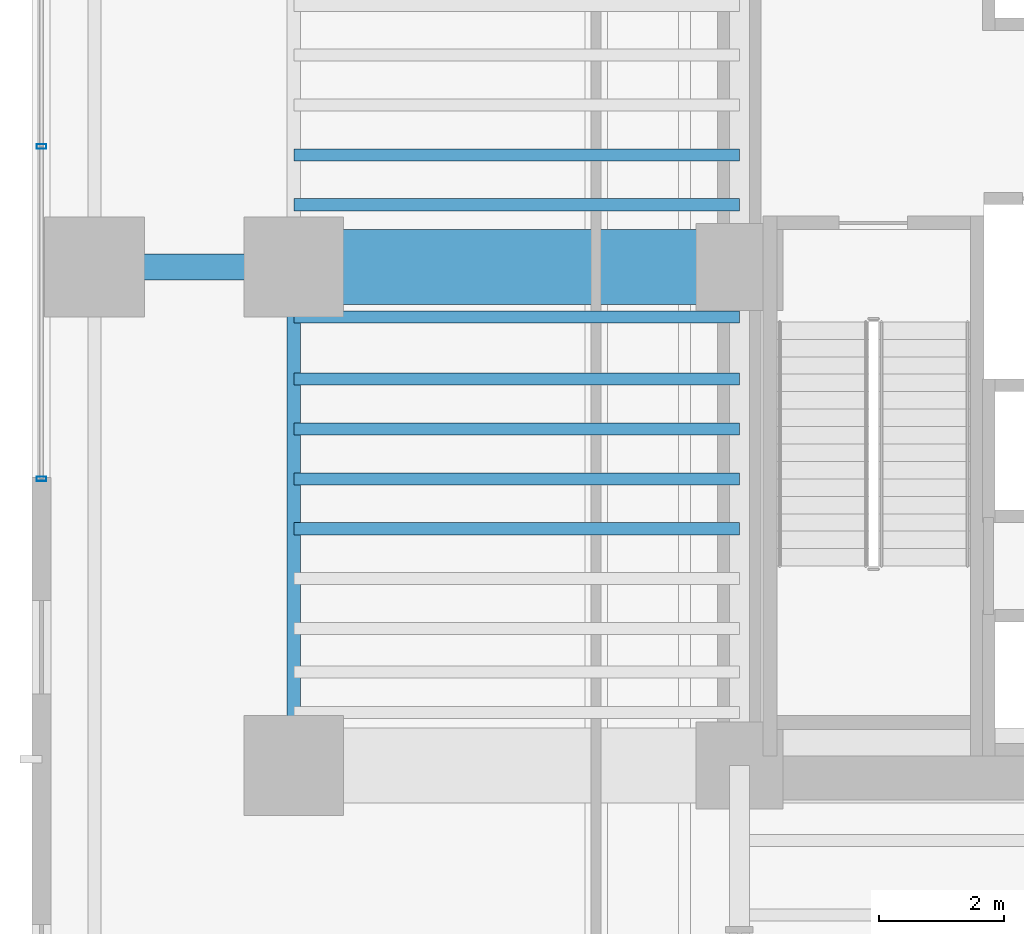
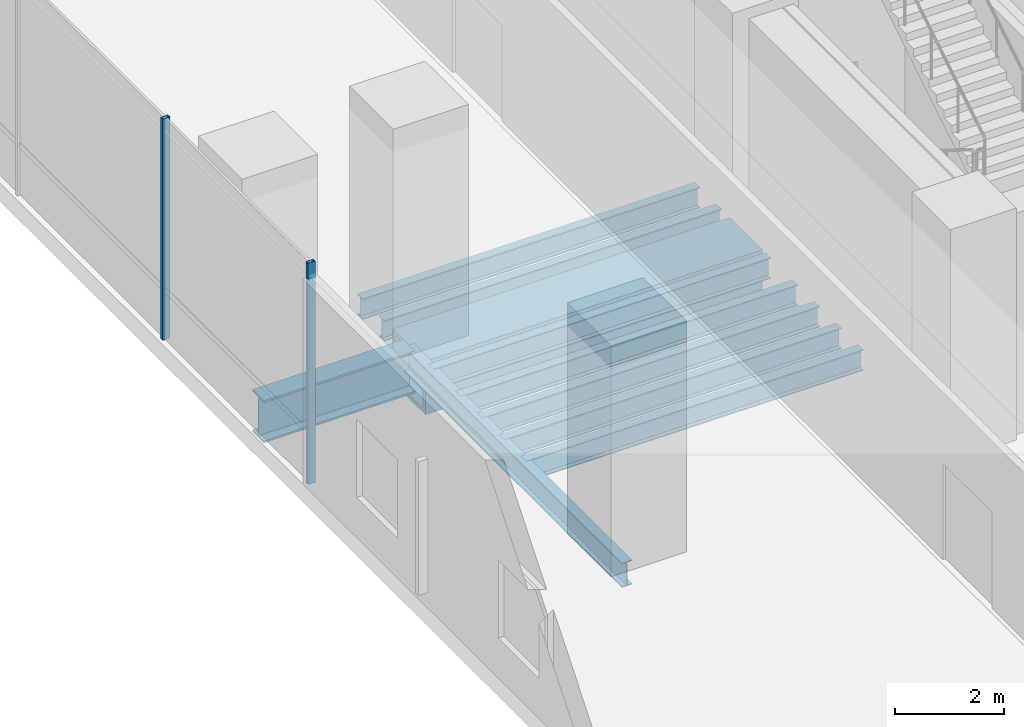
# One storey, part 4 of 41: 10 beams, 2 members, 1 element without a shape of its own.
"""IFC4 building model written with IfcOpenShell, lengths in metres."""

from ifc_helpers import new_model, si_unit, direction, frame, origin, origin_2d, place, context, subcontext, project, spatial, hollow_rectangle, i_section, extrude, source, transform, mapped, material, material_profile, profile_set, type_object, element, aggregate, save


model = new_model("IFC4")

# Units and contexts
model_context = context("Model", 3, precision=1e-05, world=origin(), true_north=direction((0.0, 1.0)))
body_context = subcontext(model_context, "Body", "Model", "MODEL_VIEW")
ifc_project = project(units=[si_unit("LENGTHUNIT", "METRE"), si_unit("AREAUNIT", "SQUARE_METRE"), si_unit("VOLUMEUNIT", "CUBIC_METRE"), si_unit("PLANEANGLEUNIT", "RADIAN"), si_unit("MASSUNIT", "GRAM", prefix="KILO")], contexts=[model_context])

# Site, building, storey
site_placement = place(None, origin())
site = spatial("IfcSite", under=ifc_project, at=site_placement, CompositionType="ELEMENT")
building_placement = place(site_placement, origin())
building = spatial("IfcBuilding", under=site, at=building_placement, Name="Valdorenza Pilgrim Sanctuary Tower", CompositionType="ELEMENT")
storey_placement = place(building_placement, frame((0.0, 0.0, 20.800048828125)))
storey = spatial("IfcBuildingStorey", under=building, at=storey_placement, Name="L04", CompositionType="ELEMENT", Elevation=20.800048828125)

# Beams
ifc_material_1 = material(Name="Steel ASTM A992 Grade 50", Category="steel")
ifc_material_profile_1 = material_profile(ifc_material_1, i_section(OverallWidth=0.214111328125, OverallDepth=0.549072265625, WebThickness=0.0146484375, FlangeThickness=0.023681640625, at=origin_2d()), Name="W21X93")
ifc_profile_set_1 = profile_set([ifc_material_profile_1], Name="Steel ASTM A992 Grade 50")
beam_type_1 = type_object("IfcBeamType", Name="STR-BM-SPN-W21A", PredefinedType="SPANDREL", material=ifc_profile_set_1)
shared_shape_1 = source(origin(), body_context, "Body", "SweptSolid", [
    extrude(i_section(OverallWidth=0.214111328125, OverallDepth=0.549072265625, WebThickness=0.0146484375, FlangeThickness=0.023681640625, at=origin_2d()), origin(), (0.0, 0.0, 1.0), 8.0),
])
beam_1_placement = place(storey_placement, frame((-29.800048828125, -10.60009765625, -0.674560546875), z_axis=(0.0, 1.0, 0.0), x_axis=(-1.0, 0.0, 0.0)))
element("IfcBeam", 1, at=beam_1_placement, inside=storey, type_object=beam_type_1, Name="L04 Spandrel Beam WA-W-S1M0", PredefinedType="SPANDREL", context=body_context, shape_type="MappedRepresentation", body=[
    mapped(shared_shape_1, transform((0.0, 0.0, 0.0), x_axis=(1.0, 0.0, 0.0), y_axis=(0.0, 1.0, 0.0), z_axis=(0.0, 0.0, 1.0), scale=1.0)),
])
ifc_material_profile_2 = material_profile(ifc_material_1, i_section(OverallWidth=0.193115234375, OverallDepth=0.466064453125, WebThickness=0.011474609375, FlangeThickness=0.01904296875, at=origin_2d()), Name="W18X65")
ifc_profile_set_2 = profile_set([ifc_material_profile_2], Name="Steel ASTM A992 Grade 50")
beam_type_2 = type_object("IfcBeamType", Name="STR-BM-JST-W18A", PredefinedType="JOIST", material=ifc_profile_set_2)
shared_shape_2 = source(origin(), body_context, "Body", "SweptSolid", [
    extrude(i_section(OverallWidth=0.193115234375, OverallDepth=0.466064453125, WebThickness=0.011474609375, FlangeThickness=0.01904296875, at=origin_2d()), origin(), (0.0, 0.0, 1.0), 7.150146484375),
])
for number, where, z_axis, x_axis, name in (
    (2, (-29.800048828125, -6.800048828125, -0.633056640625), (1.0, 0.0, 0.0), (0.0, 1.0, 0.0), "L04 Composite Floor Joist JST-WA-5"),
    (3, (-29.800048828125, -6.0, -0.633056640625), (1.0, 0.0, 0.0), (0.0, 1.0, 0.0), "L04 Composite Floor Joist JST-WA-6"),
    (4, (-29.800048828125, -5.199951171875, -0.633056640625), (1.0, 0.0, 0.0), (0.0, 1.0, 0.0), "L04 Composite Floor Joist JST-WA-7"),
    (5, (-29.800048828125, -4.39990234375, -0.633056640625), (1.0, 0.0, 0.0), (0.0, 1.0, 0.0), "L04 Composite Floor Joist JST-WA-8"),
    (6, (-29.800048828125, -3.39990234375, -0.633056640625), (1.0, 0.0, 0.0), (0.0, 1.0, 0.0), "L04 Composite Floor Joist JST-WA-9"),
    (7, (-29.800048828125, -1.60009765625, -0.633056640625), (1.0, 0.0, 0.0), (0.0, 1.0, 0.0), "L04 Composite Floor Joist JST-WA-10"),
    (8, (-29.800048828125, -0.800048828125, -0.633056640625), (1.0, 0.0, 0.0), (0.0, 1.0, 0.0), "L04 Composite Floor Joist JST-WA-11"),
):
    element("IfcBeam", number, at=place(storey_placement, frame(where, z_axis=z_axis, x_axis=x_axis)), inside=storey, type_object=beam_type_2, Name=name, PredefinedType="JOIST", context=body_context, shape_type="MappedRepresentation", body=[
        mapped(shared_shape_2, transform((0.0, 0.0, 0.0), x_axis=(1.0, 0.0, 0.0), y_axis=(0.0, 1.0, 0.0), z_axis=(0.0, 0.0, 1.0), scale=1.0)),
    ])
ifc_material_profile_3 = material_profile(ifc_material_1, i_section(OverallWidth=0.423095703125, OverallDepth=0.947998046875, WebThickness=0.02392578125, FlangeThickness=0.042724609375, at=origin_2d()), Name="W36X302")
ifc_profile_set_3 = profile_set([ifc_material_profile_3], Name="Steel ASTM A992 Grade 50")
beam_type_3 = type_object("IfcBeamType", Name="STR-BM-GRD-W36A", PredefinedType="BEAM", material=ifc_profile_set_3)
shared_shape_3 = source(origin(), body_context, "Body", "SweptSolid", [
    extrude(i_section(OverallWidth=0.423095703125, OverallDepth=0.947998046875, WebThickness=0.02392578125, FlangeThickness=0.042724609375, at=origin_2d()), origin(), (0.0, 0.0, 1.0), 3.199951171875),
])
beam_2_placement = place(storey_placement, frame((-33.0, -2.60009765625, -0.8740234375), z_axis=(1.0, 0.0, 0.0), x_axis=(0.0, 1.0, 0.0)))
element("IfcBeam", 9, at=beam_2_placement, inside=storey, type_object=beam_type_3, Name="L04 Floor Girder POD-W-M0", PredefinedType="BEAM", context=body_context, shape_type="MappedRepresentation", body=[
    mapped(shared_shape_3, transform((0.0, 0.0, 0.0), x_axis=(1.0, 0.0, 0.0), y_axis=(0.0, 1.0, 0.0), z_axis=(0.0, 0.0, 1.0), scale=1.0)),
])
ifc_material_2 = material(Name="Steel ASTM A572 Grade 42", Category="steel")
ifc_material_profile_4 = material_profile(ifc_material_2, hollow_rectangle(XDim=1.199951171875, YDim=1.199951171875, WallThickness=0.090087890625, at=origin_2d()), Name="BOX 1200x1200x90")
ifc_profile_set_4 = profile_set([ifc_material_profile_4], Name="Steel ASTM A572 Grade 42")
beam_type_4 = type_object("IfcBeamType", Name="STR-BM-TRF-1200", PredefinedType="BEAM", material=ifc_profile_set_4)
shared_shape_4 = source(origin(), body_context, "Body", "SweptSolid", [
    extrude(hollow_rectangle(XDim=1.199951171875, YDim=1.199951171875, WallThickness=0.090087890625, at=origin_2d()), origin(), (0.0, 0.0, 1.0), 7.150146484375),
])
beam_3_placement = place(storey_placement, frame((-29.800048828125, -2.60009765625, -1.0), z_axis=(1.0, 0.0, 0.0), x_axis=(0.0, 1.0, 0.0)))
element("IfcBeam", 10, at=beam_3_placement, inside=storey, type_object=beam_type_4, Name="L04 Transfer Girder WA-XW-M0", PredefinedType="BEAM", context=body_context, shape_type="MappedRepresentation", body=[
    mapped(shared_shape_4, transform((0.0, 0.0, 0.0), x_axis=(1.0, 0.0, 0.0), y_axis=(0.0, 1.0, 0.0), z_axis=(0.0, 0.0, 1.0), scale=1.0)),
])

# Curtain wall, members
ifc_material_3 = material(Name="Curtain-wall IGU glazing", Category="glass")
curtain_wall_type = type_object("IfcCurtainWallType", Name="CW-SYS-01", PredefinedType="NOTDEFINED", material=ifc_material_3)
curtain_wall_placement = place(storey_placement, origin())
curtain_wall = element("IfcCurtainWall", 11, at=curtain_wall_placement, inside=storey, type_object=curtain_wall_type, Name="L04 Curtain Wall CW-POD-L04-WW", PredefinedType="NOTDEFINED")
ifc_material_4 = material(Name="Anodised aluminium AW-6060", Category="aluminium")
ifc_material_profile_5 = material_profile(ifc_material_4, hollow_rectangle(XDim=0.074951171875, YDim=0.159912109375, WallThickness=0.00390625, at=origin_2d()), Name="ALU-M 160x75x4")
ifc_profile_set_5 = profile_set([ifc_material_profile_5], Name="Anodised aluminium AW-6060")
member_type = type_object("IfcMemberType", Name="CW-MUL-01", PredefinedType="MULLION", material=ifc_profile_set_5)
shared_shape_5 = source(origin(), body_context, "Body", "SweptSolid", [
    extrude(hollow_rectangle(XDim=0.074951171875, YDim=0.159912109375, WallThickness=0.00390625, at=origin_2d()), origin(), (0.0, 0.0, 1.0), 4.9599609375),
])
member_1_placement = place(storey_placement, frame((-33.85009765625, -6.0, 0.0), z_axis=(0.0, 0.0, 1.0), x_axis=(0.0, 1.0, 0.0)))
member_1 = element("IfcMember", 12, at=member_1_placement, type_object=member_type, Name="CW-POD-L04-WW Mullion 1", PredefinedType="MULLION", context=body_context, shape_type="MappedRepresentation", body=[
    mapped(shared_shape_5, transform((0.0, 0.0, 0.0), x_axis=(1.0, 0.0, 0.0), y_axis=(0.0, 1.0, 0.0), z_axis=(0.0, 0.0, 1.0), scale=1.0)),
])
member_2_placement = place(storey_placement, frame((-33.85009765625, -0.666748046875, 0.0), z_axis=(0.0, 0.0, 1.0), x_axis=(0.0, 1.0, 0.0)))
member_2 = element("IfcMember", 13, at=member_2_placement, type_object=member_type, Name="CW-POD-L04-WW Mullion 2", PredefinedType="MULLION", context=body_context, shape_type="MappedRepresentation", body=[
    mapped(shared_shape_5, transform((0.0, 0.0, 0.0), x_axis=(1.0, 0.0, 0.0), y_axis=(0.0, 1.0, 0.0), z_axis=(0.0, 0.0, 1.0), scale=1.0)),
])
aggregate(curtain_wall, [member_1, member_2])

save(model, "model.ifc")
